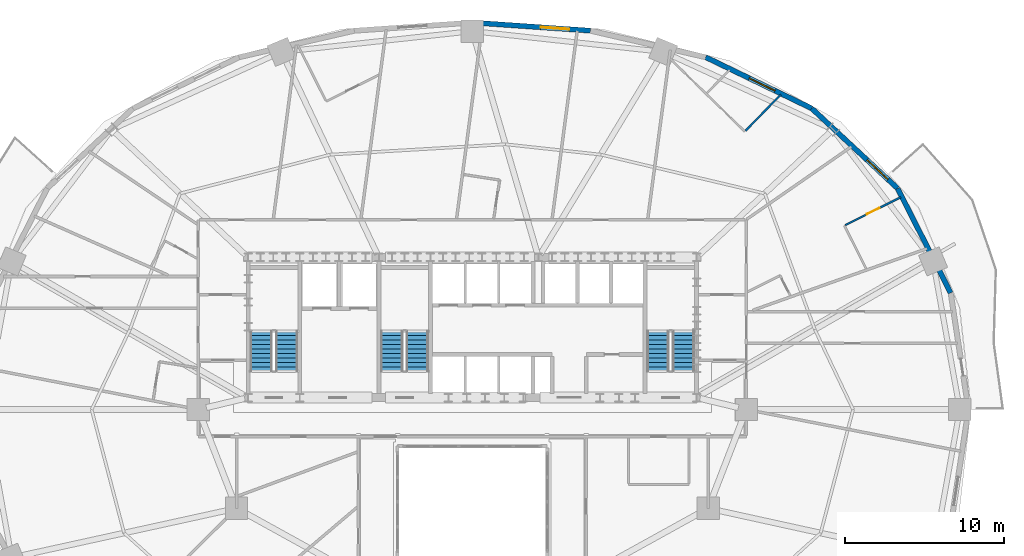
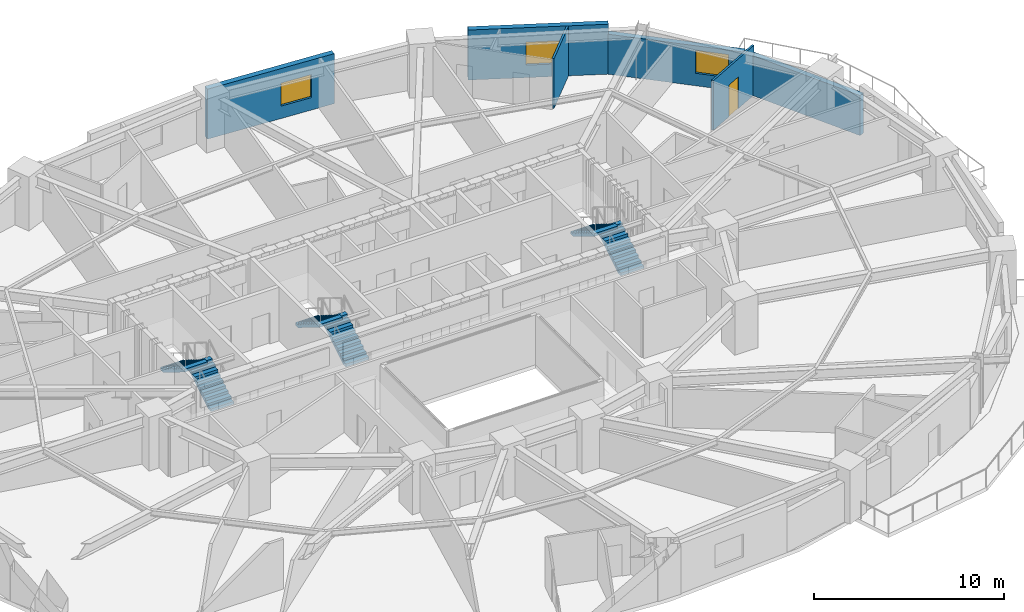
# One storey, part 13 of 17: 6 stair flights, 6 walls, 3 windows, 1 door, 4 openings, 3 elements without a shape of their own.
"""IFC4 building model written with IfcOpenShell, lengths in metres."""

from ifc_helpers import new_model, si_unit, direction, frame, frame_2d, origin, place, context, subcontext, project, spatial, polyline, rectangle, outline, extrude, material, layer, layer_set, type_object, element, fill, aggregate, save


model = new_model("IFC4")

# Units and contexts
model_context = context("Model", 3, precision=1e-05, world=origin(), true_north=direction((0.0, 1.0)))
body_context = subcontext(model_context, "Body", "Model", "MODEL_VIEW")
ifc_project = project(units=[si_unit("LENGTHUNIT", "METRE"), si_unit("AREAUNIT", "SQUARE_METRE"), si_unit("VOLUMEUNIT", "CUBIC_METRE"), si_unit("PLANEANGLEUNIT", "RADIAN"), si_unit("MASSUNIT", "GRAM", prefix="KILO")], contexts=[model_context])

# Site, building, storey
site_placement = place(None, origin())
site = spatial("IfcSite", under=ifc_project, at=site_placement, CompositionType="ELEMENT")
building_placement = place(site_placement, origin())
building = spatial("IfcBuilding", under=site, at=building_placement, Name="Haldorwick Loom Tower", CompositionType="ELEMENT")
storey_placement = place(building_placement, frame((0.0, 0.0, 51.60009765625)))
storey = spatial("IfcBuildingStorey", under=building, at=storey_placement, Name="L13", CompositionType="ELEMENT", Elevation=51.60009765625)

# Wall
ifc_material_1 = material(Name="Pressed Clay Face Brick and Insulated Masonry Backup Assembly", Category="masonry")
ifc_layer_1 = layer(ifc_material_1, 0.320068359375, Name="Pressed Clay Face Brick and Insulated Masonry Backup Assembly", Category="masonry")
ifc_layer_set_1 = layer_set([ifc_layer_1], Name="Pressed Clay Face Brick and Insulated Masonry Backup Assembly")
wall_type_1 = type_object("IfcWallType", Name="ARC-WL-EXT320", PredefinedType="STANDARD", material=ifc_layer_set_1)
wall_1_placement = place(storey_placement, frame((66.021728515625, 33.320556640625, 0.0), z_axis=(0.0, 0.0, 1.0), x_axis=(-0.452950855928, 0.891535485617, 0.0)))
element("IfcWall", 1, at=wall_1_placement, inside=storey, type_object=wall_type_1, Name="L13 Brick Pier and Spandrel Wall 2", PredefinedType="STANDARD", context=body_context, shape_type="SweptSolid", body=[
    extrude(rectangle(XDim=7.3583984375, YDim=0.320068359375, at=frame_2d((3.67919921875, 0.0))), origin(), (0.0, 0.0, 1.0), 2.56884765625),
])

# Wall, opening, window
wall_2_placement = place(storey_placement, frame((62.688720703125, 39.880859375, 0.0), z_axis=(0.0, 0.0, 1.0), x_axis=(-0.73176101237, 0.681561311091, 0.0)))
wall_2 = element("IfcWall", 2, at=wall_2_placement, inside=storey, type_object=wall_type_1, Name="L13 Brick Pier and Spandrel Wall 3", PredefinedType="STANDARD", context=body_context, shape_type="SweptSolid", body=[
    extrude(rectangle(XDim=7.3583984375, YDim=0.320068359375, at=frame_2d((3.67919921875, 0.0))), origin(), (0.0, 0.0, 1.0), 2.56884765625),
])
opening_1_placement = place(wall_2_placement, frame((0.82177734375, 0.0, 0.800048828125)))
opening_1 = element("IfcOpeningElement", 3, at=opening_1_placement, cuts=wall_2, Name="Opening W-01", PredefinedType="OPENING", context=body_context, shape_type="SweptSolid", body=[
    extrude(rectangle(XDim=1.800048828125, YDim=1.47998046875, at=frame_2d((0.89990234375, 0.739990234375))), frame((0.0, 0.169921875, 0.0), z_axis=(0.0, -1.0, 0.0), x_axis=(1.0, 0.0, 0.0)), (0.0, 0.0, 1.0), 0.340087890625),
])
ifc_material_2 = material(Name="Triple-Glazed Low-E Argon Insulated Glazing Unit", Category="glass")
window_type = type_object("IfcWindowType", Name="ARC-WIN-W180", PartitioningType="SINGLE_PANEL", PredefinedType="WINDOW", material=ifc_material_2)
window_1_placement = place(opening_1_placement, origin())
window_1 = element("IfcWindow", 4, at=window_1_placement, inside=storey, type_object=window_type, Name="L13 Deep-Set Zone 7A Window 3", OverallHeight=1.47998046875, OverallWidth=1.800048828125, PartitioningType="SINGLE_PANEL", PredefinedType="WINDOW", context=body_context, shape_type="SweptSolid", body=[
    extrude(rectangle(XDim=1.800048828125, YDim=1.47998046875, at=frame_2d((0.89990234375, 0.739990234375))), frame((0.0, 0.030029296875, 0.0), z_axis=(0.0, -1.0, 0.0), x_axis=(1.0, 0.0, 0.0)), (0.0, 0.0, 1.0), 0.06005859375),
])
fill(opening_1, window_1)

wall_3_placement = place(storey_placement, frame((57.30419921875, 44.89599609375, 0.0), z_axis=(0.0, 0.0, 1.0), x_axis=(-0.900295710431, 0.435278800057, 0.0)))
wall_3 = element("IfcWall", 5, at=wall_3_placement, inside=storey, type_object=wall_type_1, Name="L13 Brick Pier and Spandrel Wall 4", PredefinedType="STANDARD", context=body_context, shape_type="SweptSolid", body=[
    extrude(rectangle(XDim=7.39697265625, YDim=0.320068359375, at=frame_2d((3.698486328125, 0.0))), origin(), (0.0, 0.0, 1.0), 3.2099609375),
])
opening_2_placement = place(wall_3_placement, frame((2.55859375, 0.0, 0.800048828125)))
opening_2 = element("IfcOpeningElement", 6, at=opening_2_placement, cuts=wall_3, Name="Opening W-01", PredefinedType="OPENING", context=body_context, shape_type="SweptSolid", body=[
    extrude(rectangle(XDim=1.800048828125, YDim=1.47998046875, at=frame_2d((0.89990234375, 0.739990234375))), frame((0.0, 0.169921875, 0.0), z_axis=(0.0, -1.0, 0.0), x_axis=(1.0, 0.0, 0.0)), (0.0, 0.0, 1.0), 0.340087890625),
])
window_2_placement = place(opening_2_placement, origin())
window_2 = element("IfcWindow", 7, at=window_2_placement, inside=storey, type_object=window_type, Name="L13 Deep-Set Zone 7A Window 4", OverallHeight=1.47998046875, OverallWidth=1.800048828125, PartitioningType="SINGLE_PANEL", PredefinedType="WINDOW", context=body_context, shape_type="SweptSolid", body=[
    extrude(rectangle(XDim=1.800048828125, YDim=1.47998046875, at=frame_2d((0.89990234375, 0.739990234375))), frame((0.0, 0.030029296875, 0.0), z_axis=(0.0, -1.0, 0.0), x_axis=(1.0, 0.0, 0.0)), (0.0, 0.0, 1.0), 0.06005859375),
])
fill(opening_2, window_2)

wall_4_placement = place(storey_placement, frame((43.411376953125, 49.780517578125, 0.0), z_axis=(0.0, 0.0, 1.0), x_axis=(-0.997645161917, 0.068586667092, 0.0)))
wall_4 = element("IfcWall", 8, at=wall_4_placement, inside=storey, type_object=wall_type_1, Name="L13 Brick Pier and Spandrel Wall 6", PredefinedType="STANDARD", context=body_context, shape_type="SweptSolid", body=[
    extrude(rectangle(XDim=7.428955078125, YDim=0.320068359375, at=frame_2d((3.71435546875, 0.0))), origin(), (0.0, 0.0, 1.0), 3.2099609375),
])
opening_3_placement = place(wall_4_placement, frame((1.32861328125, 0.0, 0.800048828125)))
opening_3 = element("IfcOpeningElement", 9, at=opening_3_placement, cuts=wall_4, Name="Opening W-01", PredefinedType="OPENING", context=body_context, shape_type="SweptSolid", body=[
    extrude(rectangle(XDim=1.800048828125, YDim=1.47998046875, at=frame_2d((0.89990234375, 0.739990234375))), frame((0.0, 0.169921875, 0.0), z_axis=(0.0, -1.0, 0.0), x_axis=(1.0, 0.0, 0.0)), (0.0, 0.0, 1.0), 0.340087890625),
])
window_3_placement = place(opening_3_placement, origin())
window_3 = element("IfcWindow", 10, at=window_3_placement, inside=storey, type_object=window_type, Name="L13 Deep-Set Zone 7A Window 6", OverallHeight=1.47998046875, OverallWidth=1.800048828125, PartitioningType="SINGLE_PANEL", PredefinedType="WINDOW", context=body_context, shape_type="SweptSolid", body=[
    extrude(rectangle(XDim=1.800048828125, YDim=1.47998046875, at=frame_2d((0.89990234375, 0.739990234375))), frame((0.0, 0.030029296875, 0.0), z_axis=(0.0, -1.0, 0.0), x_axis=(1.0, 0.0, 0.0)), (0.0, 0.0, 1.0), 0.06005859375),
])
fill(opening_3, window_3)

# Wall, opening, door
ifc_material_3 = material(Name="Acoustic Gypsum Stud Assembly STC 55")
ifc_layer_2 = layer(ifc_material_3, 0.1201171875, Name="Acoustic Gypsum Stud Assembly STC 55")
ifc_layer_set_2 = layer_set([ifc_layer_2], Name="Acoustic Gypsum Stud Assembly STC 55")
wall_type_2 = type_object("IfcWallType", Name="ARC-WL-PART120", PredefinedType="PARTITIONING", material=ifc_layer_set_2)
wall_5_placement = place(storey_placement, frame((59.408203125, 37.576904296875, 0.0), z_axis=(0.0, 0.0, 1.0), x_axis=(0.893311142438, 0.449438764234, 0.0)))
wall_5 = element("IfcWall", 11, at=wall_5_placement, inside=storey, type_object=wall_type_2, Name="L13 Unit 13J Interior Partition", PredefinedType="PARTITIONING", context=body_context, shape_type="SweptSolid", body=[
    extrude(rectangle(XDim=3.903564453125, YDim=0.1201171875, at=frame_2d((1.95166015625, 0.0))), origin(), (0.0, 0.0, 1.0), 3.19482421875),
])
opening_4_placement = place(wall_5_placement, frame((1.501708984375, 0.0, 0.0)))
opening_4 = element("IfcOpeningElement", 12, at=opening_4_placement, cuts=wall_5, Name="Opening D-IN90", PredefinedType="OPENING", context=body_context, shape_type="SweptSolid", body=[
    extrude(rectangle(XDim=0.89990234375, YDim=2.0400390625, at=frame_2d((0.449951171875, 1.02001953125))), frame((0.0, 0.070068359375, 0.0), z_axis=(0.0, -1.0, 0.0), x_axis=(1.0, 0.0, 0.0)), (0.0, 0.0, 1.0), 0.14013671875),
])
ifc_material_4 = material(Name="Solid Core Birch Architectural Door")
door_type = type_object("IfcDoorType", Name="ARC-DR-INT90", OperationType="NOTDEFINED", PredefinedType="DOOR", material=ifc_material_4)
door_placement = place(opening_4_placement, origin())
door = element("IfcDoor", 13, at=door_placement, inside=storey, type_object=door_type, Name="L13 Unit 13J Kitchen and Living Room to Unit 13J Bedroom 1 Door", OperationType="SINGLE_SWING_RIGHT", OverallHeight=2.0400390625, OverallWidth=0.89990234375, PredefinedType="DOOR", context=body_context, shape_type="SweptSolid", body=[
    extrude(rectangle(XDim=0.89990234375, YDim=2.0400390625, at=frame_2d((0.449951171875, 1.02001953125))), frame((0.0, 0.02490234375, 0.0), z_axis=(0.0, -1.0, 0.0), x_axis=(1.0, 0.0, 0.0)), (0.0, 0.0, 1.0), 0.050048828125),
])
fill(opening_4, door)

# Wall
wall_6_placement = place(storey_placement, frame((53.142578125, 43.495849609375, 0.0), z_axis=(0.0, 0.0, 1.0), x_axis=(0.697882960222, 0.716211821901, 0.0)))
element("IfcWall", 14, at=wall_6_placement, inside=storey, type_object=wall_type_2, Name="L13 Unit 13K Interior Partition", PredefinedType="PARTITIONING", context=body_context, shape_type="SweptSolid", body=[
    extrude(rectangle(XDim=3.170166015625, YDim=0.1201171875, at=frame_2d((1.5849609375, 0.0))), origin(), (0.0, 0.0, 1.0), 3.19482421875),
])

# Stair, stair flights
ifc_material_5 = material(Name="Concrete C40 (40 MPa)", Category="concrete")
stair_type = type_object("IfcStairType", Name="STR-STR-CORE", PredefinedType="HALF_TURN_STAIR", material=ifc_material_5)
stair_1_placement = place(storey_placement, origin())
stair_1 = element("IfcStair", 15, at=stair_1_placement, inside=storey, type_object=stair_type, Name="L13 Exit Stair ST-01", PredefinedType="HALF_TURN_STAIR")
stair_flight_type = type_object("IfcStairFlightType", Name="STR-STF-1250", PredefinedType="STRAIGHT", material=ifc_material_5)
stair_flight_1_placement = place(storey_placement, frame((24.35009765625, 28.39990234375, 0.0), z_axis=(0.0, 0.0, 1.0), x_axis=(0.0, 1.0, 0.0)))
stair_flight_1 = element("IfcStairFlight", 16, at=stair_flight_1_placement, type_object=stair_flight_type, Name="ST-01 flight 1", NumberOfRisers=10, NumberOfTreads=9, PredefinedType="STRAIGHT", RiserHeight=0.1725, TreadLength=0.28, context=body_context, shape_type="SweptSolid", body=[
    extrude(outline(polyline([(0.0, 0.0), (0.0, 0.172607421875), (0.280029296875, 0.172607421875), (0.280029296875, 0.344970703125), (0.56005859375, 0.344970703125), (0.56005859375, 0.517578125), (0.840087890625, 0.517578125), (0.840087890625, 0.68994140625), (1.1201171875, 0.68994140625), (1.1201171875, 0.862548828125), (1.39990234375, 0.862548828125), (1.39990234375, 1.034912109375), (1.679931640625, 1.034912109375), (1.679931640625, 1.20751953125), (1.9599609375, 1.20751953125), (1.9599609375, 1.3798828125), (2.239990234375, 1.3798828125), (2.239990234375, 1.552490234375), (2.52001953125, 1.552490234375), (2.52001953125, 1.72509765625), (2.52001953125, 1.37646484375), (0.285888671875, 0.0), (0.0, 0.0)])), frame((0.0, 0.699951171875, 0.0), z_axis=(0.0, -1.0, 0.0), x_axis=(1.0, 0.0, 0.0)), (0.0, 0.0, 1.0), 1.39990234375),
])
stair_flight_2_placement = place(storey_placement, frame((22.75, 30.919921875, 1.724853515625), z_axis=(0.0, 0.0, 1.0), x_axis=(0.0, -1.0, 0.0)))
stair_flight_2 = element("IfcStairFlight", 17, at=stair_flight_2_placement, type_object=stair_flight_type, Name="ST-01 flight 2", NumberOfRisers=10, NumberOfTreads=9, PredefinedType="STRAIGHT", RiserHeight=0.1725, TreadLength=0.28, context=body_context, shape_type="SweptSolid", body=[
    extrude(outline(polyline([(0.0, 0.0), (0.0, 0.172607421875), (0.280029296875, 0.172607421875), (0.280029296875, 0.344970703125), (0.56005859375, 0.344970703125), (0.56005859375, 0.517578125), (0.840087890625, 0.517578125), (0.840087890625, 0.68994140625), (1.1201171875, 0.68994140625), (1.1201171875, 0.862548828125), (1.39990234375, 0.862548828125), (1.39990234375, 1.034912109375), (1.679931640625, 1.034912109375), (1.679931640625, 1.20751953125), (1.9599609375, 1.20751953125), (1.9599609375, 1.3798828125), (2.239990234375, 1.3798828125), (2.239990234375, 1.552490234375), (2.52001953125, 1.552490234375), (2.52001953125, 1.72509765625), (2.52001953125, 1.37646484375), (0.285888671875, 0.0), (0.0, 0.0)])), frame((0.0, 0.699951171875, 0.0), z_axis=(0.0, -1.0, 0.0), x_axis=(1.0, 0.0, 0.0)), (0.0, 0.0, 1.0), 1.39990234375),
])
aggregate(stair_1, [stair_flight_1, stair_flight_2])

stair_2_placement = place(storey_placement, origin())
stair_2 = element("IfcStair", 18, at=stair_2_placement, inside=storey, type_object=stair_type, Name="L13 Exit Stair ST-02", PredefinedType="HALF_TURN_STAIR")
stair_flight_3_placement = place(storey_placement, frame((49.25, 28.39990234375, 0.0), z_axis=(0.0, 0.0, 1.0), x_axis=(0.0, 1.0, 0.0)))
stair_flight_3 = element("IfcStairFlight", 19, at=stair_flight_3_placement, type_object=stair_flight_type, Name="ST-02 flight 1", NumberOfRisers=10, NumberOfTreads=9, PredefinedType="STRAIGHT", RiserHeight=0.1725, TreadLength=0.28, context=body_context, shape_type="SweptSolid", body=[
    extrude(outline(polyline([(0.0, 0.0), (0.0, 0.172607421875), (0.280029296875, 0.172607421875), (0.280029296875, 0.344970703125), (0.56005859375, 0.344970703125), (0.56005859375, 0.517578125), (0.840087890625, 0.517578125), (0.840087890625, 0.68994140625), (1.1201171875, 0.68994140625), (1.1201171875, 0.862548828125), (1.39990234375, 0.862548828125), (1.39990234375, 1.034912109375), (1.679931640625, 1.034912109375), (1.679931640625, 1.20751953125), (1.9599609375, 1.20751953125), (1.9599609375, 1.3798828125), (2.239990234375, 1.3798828125), (2.239990234375, 1.552490234375), (2.52001953125, 1.552490234375), (2.52001953125, 1.72509765625), (2.52001953125, 1.37646484375), (0.285888671875, 0.0), (0.0, 0.0)])), frame((0.0, 0.699951171875, 0.0), z_axis=(0.0, -1.0, 0.0), x_axis=(1.0, 0.0, 0.0)), (0.0, 0.0, 1.0), 1.39990234375),
])
stair_flight_4_placement = place(storey_placement, frame((47.64990234375, 30.919921875, 1.724853515625), z_axis=(0.0, 0.0, 1.0), x_axis=(0.0, -1.0, 0.0)))
stair_flight_4 = element("IfcStairFlight", 20, at=stair_flight_4_placement, type_object=stair_flight_type, Name="ST-02 flight 2", NumberOfRisers=10, NumberOfTreads=9, PredefinedType="STRAIGHT", RiserHeight=0.1725, TreadLength=0.28, context=body_context, shape_type="SweptSolid", body=[
    extrude(outline(polyline([(0.0, 0.0), (0.0, 0.172607421875), (0.280029296875, 0.172607421875), (0.280029296875, 0.344970703125), (0.56005859375, 0.344970703125), (0.56005859375, 0.517578125), (0.840087890625, 0.517578125), (0.840087890625, 0.68994140625), (1.1201171875, 0.68994140625), (1.1201171875, 0.862548828125), (1.39990234375, 0.862548828125), (1.39990234375, 1.034912109375), (1.679931640625, 1.034912109375), (1.679931640625, 1.20751953125), (1.9599609375, 1.20751953125), (1.9599609375, 1.3798828125), (2.239990234375, 1.3798828125), (2.239990234375, 1.552490234375), (2.52001953125, 1.552490234375), (2.52001953125, 1.72509765625), (2.52001953125, 1.37646484375), (0.285888671875, 0.0), (0.0, 0.0)])), frame((0.0, 0.699951171875, 0.0), z_axis=(0.0, -1.0, 0.0), x_axis=(1.0, 0.0, 0.0)), (0.0, 0.0, 1.0), 1.39990234375),
])
aggregate(stair_2, [stair_flight_3, stair_flight_4])

stair_3_placement = place(storey_placement, origin())
stair_3 = element("IfcStair", 21, at=stair_3_placement, inside=storey, type_object=stair_type, Name="L13 Exit Stair ST-03", PredefinedType="HALF_TURN_STAIR")
stair_flight_5_placement = place(storey_placement, frame((32.550048828125, 28.39990234375, 0.0), z_axis=(0.0, 0.0, 1.0), x_axis=(0.0, 1.0, 0.0)))
stair_flight_5 = element("IfcStairFlight", 22, at=stair_flight_5_placement, type_object=stair_flight_type, Name="ST-03 flight 1", NumberOfRisers=10, NumberOfTreads=9, PredefinedType="STRAIGHT", RiserHeight=0.1725, TreadLength=0.28, context=body_context, shape_type="SweptSolid", body=[
    extrude(outline(polyline([(0.0, 0.0), (0.0, 0.172607421875), (0.280029296875, 0.172607421875), (0.280029296875, 0.344970703125), (0.56005859375, 0.344970703125), (0.56005859375, 0.517578125), (0.840087890625, 0.517578125), (0.840087890625, 0.68994140625), (1.1201171875, 0.68994140625), (1.1201171875, 0.862548828125), (1.39990234375, 0.862548828125), (1.39990234375, 1.034912109375), (1.679931640625, 1.034912109375), (1.679931640625, 1.20751953125), (1.9599609375, 1.20751953125), (1.9599609375, 1.3798828125), (2.239990234375, 1.3798828125), (2.239990234375, 1.552490234375), (2.52001953125, 1.552490234375), (2.52001953125, 1.72509765625), (2.52001953125, 1.37646484375), (0.285888671875, 0.0), (0.0, 0.0)])), frame((0.0, 0.699951171875, 0.0), z_axis=(0.0, -1.0, 0.0), x_axis=(1.0, 0.0, 0.0)), (0.0, 0.0, 1.0), 1.39990234375),
])
stair_flight_6_placement = place(storey_placement, frame((30.949951171875, 30.919921875, 1.724853515625), z_axis=(0.0, 0.0, 1.0), x_axis=(0.0, -1.0, 0.0)))
stair_flight_6 = element("IfcStairFlight", 23, at=stair_flight_6_placement, type_object=stair_flight_type, Name="ST-03 flight 2", NumberOfRisers=10, NumberOfTreads=9, PredefinedType="STRAIGHT", RiserHeight=0.1725, TreadLength=0.28, context=body_context, shape_type="SweptSolid", body=[
    extrude(outline(polyline([(0.0, 0.0), (0.0, 0.172607421875), (0.280029296875, 0.172607421875), (0.280029296875, 0.344970703125), (0.56005859375, 0.344970703125), (0.56005859375, 0.517578125), (0.840087890625, 0.517578125), (0.840087890625, 0.68994140625), (1.1201171875, 0.68994140625), (1.1201171875, 0.862548828125), (1.39990234375, 0.862548828125), (1.39990234375, 1.034912109375), (1.679931640625, 1.034912109375), (1.679931640625, 1.20751953125), (1.9599609375, 1.20751953125), (1.9599609375, 1.3798828125), (2.239990234375, 1.3798828125), (2.239990234375, 1.552490234375), (2.52001953125, 1.552490234375), (2.52001953125, 1.72509765625), (2.52001953125, 1.37646484375), (0.285888671875, 0.0), (0.0, 0.0)])), frame((0.0, 0.699951171875, 0.0), z_axis=(0.0, -1.0, 0.0), x_axis=(1.0, 0.0, 0.0)), (0.0, 0.0, 1.0), 1.39990234375),
])
aggregate(stair_3, [stair_flight_5, stair_flight_6])

save(model, "model.ifc")
